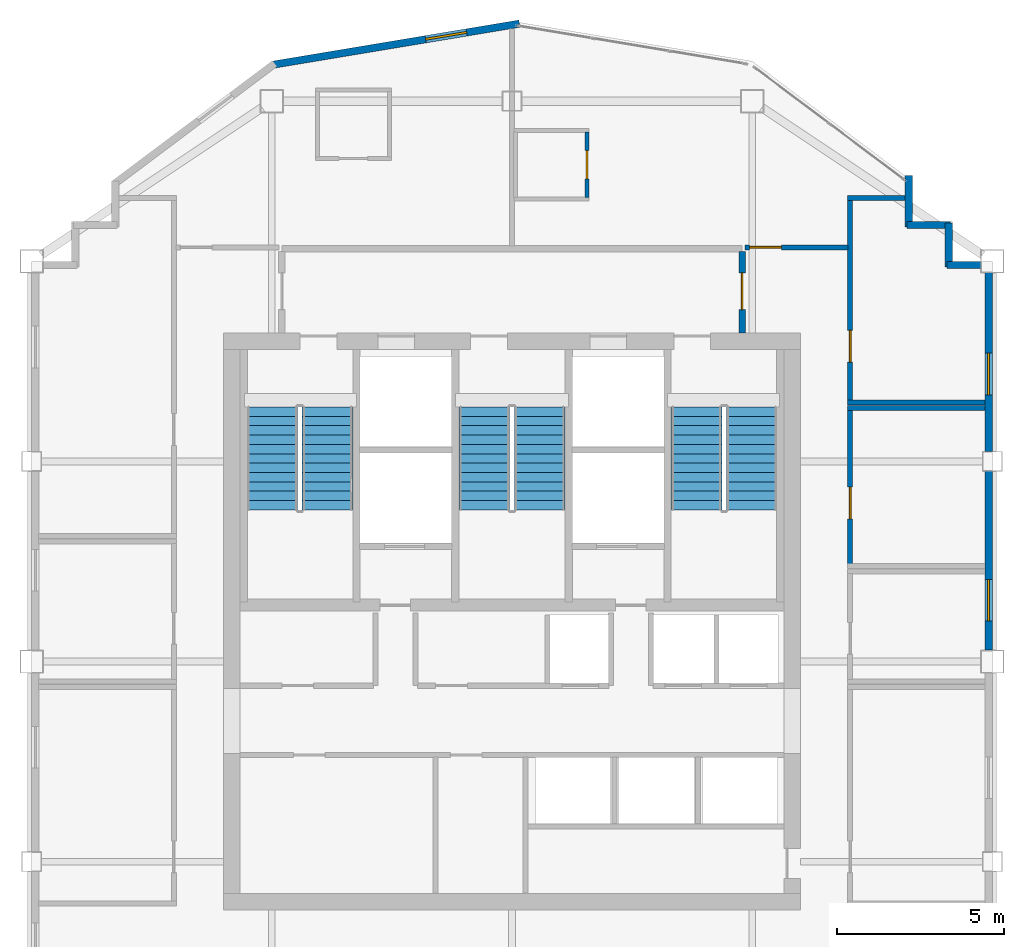
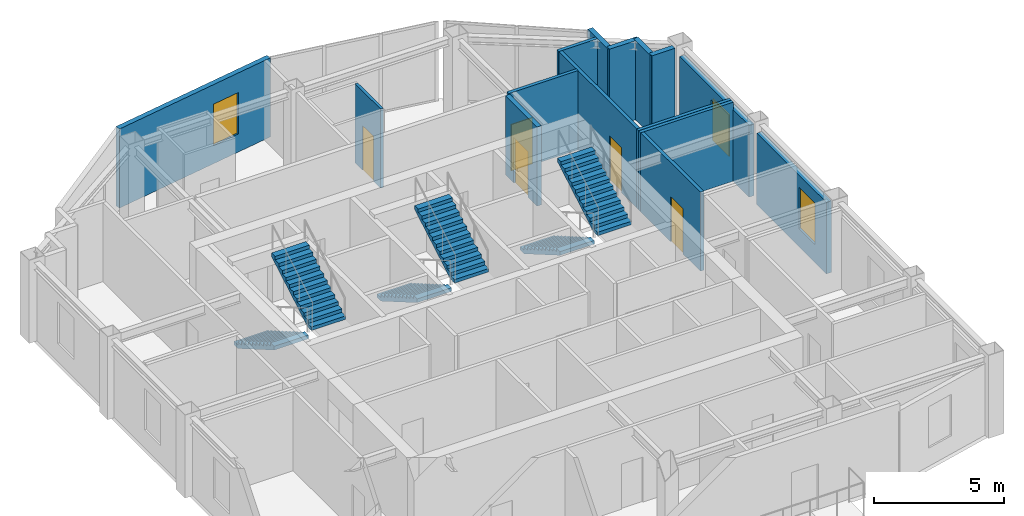
# One storey, part 7 of 8: 15 walls, 6 stair flights, 5 doors, 3 windows, 8 openings, 3 elements without a shape of their own.
"""IFC4 building model written with IfcOpenShell, lengths in metres."""

from ifc_helpers import new_model, si_unit, direction, frame, frame_2d, origin, place, context, subcontext, project, spatial, polyline, rectangle, outline, extrude, material, layer, layer_set, type_object, element, fill, aggregate, save


model = new_model("IFC4")

# Units and contexts
model_context = context("Model", 3, precision=1e-05, world=origin(), true_north=direction((0.0, 1.0)))
body_context = subcontext(model_context, "Body", "Model", "MODEL_VIEW")
ifc_project = project(units=[si_unit("LENGTHUNIT", "METRE"), si_unit("AREAUNIT", "SQUARE_METRE"), si_unit("VOLUMEUNIT", "CUBIC_METRE"), si_unit("PLANEANGLEUNIT", "RADIAN"), si_unit("MASSUNIT", "GRAM", prefix="KILO")], contexts=[model_context])

# Site, building, storey
site_placement = place(None, origin())
site = spatial("IfcSite", under=ifc_project, at=site_placement, CompositionType="ELEMENT")
building_placement = place(site_placement, origin())
building = spatial("IfcBuilding", under=site, at=building_placement, Name="Haolan Belvedere Tower", CompositionType="ELEMENT")
storey_placement = place(building_placement, frame((0.0, 0.0, 297.800048828125)))
storey = spatial("IfcBuildingStorey", under=building, at=storey_placement, Name="L75", CompositionType="ELEMENT", Elevation=297.800048828125)

# Wall, opening, window
ifc_material_1 = material(Name="Precast concrete C40/50", Category="concrete")
ifc_layer_1 = layer(ifc_material_1, 0.219970703125, Name="Precast concrete C40/50")
ifc_layer_set_1 = layer_set([ifc_layer_1], Name="Precast concrete C40/50")
wall_type_1 = type_object("IfcWallType", Name="WL-EXT-220", PredefinedType="SOLIDWALL", material=ifc_layer_set_1)
wall_1_placement = place(storey_placement, frame((52.68994140625, 33.94189453125, 0.0), z_axis=(0.0, 0.0, 1.0), x_axis=(0.0, 1.0, 0.0)))
wall_1 = element("IfcWall", 1, at=wall_1_placement, inside=storey, type_object=wall_type_1, Name="L75 pale-metal exterior spandrel wall 3.3", PredefinedType="SOLIDWALL", context=body_context, shape_type="SweptSolid", body=[
    extrude(rectangle(XDim=5.3662109375, YDim=0.219970703125, at=frame_2d((2.68310546875, 0.0))), origin(), (0.0, 0.0, 1.0), 3.364990234375),
])
opening_1_placement = place(wall_1_placement, frame((0.873046875, 0.0, 0.85009765625)))
opening_1 = element("IfcOpeningElement", 2, at=opening_1_placement, cuts=wall_1, Name="Opening W-04", PredefinedType="OPENING", context=body_context, shape_type="SweptSolid", body=[
    extrude(rectangle(XDim=1.25, YDim=1.949951171875, at=frame_2d((0.625, 0.97509765625))), frame((0.0, 0.119873046875, 0.0), z_axis=(0.0, -1.0, 0.0), x_axis=(1.0, 0.0, 0.0)), (0.0, 0.0, 1.0), 0.239990234375),
])
ifc_material_2 = material(Name="Anodised aluminium 6063-T6 and Low-E glass", Category="aluminium")
window_type = type_object("IfcWindowType", Name="WN-DECO-Z4", PartitioningType="SINGLE_PANEL", PredefinedType="WINDOW", material=ifc_material_2)
window_1_placement = place(opening_1_placement, origin())
window_1 = element("IfcWindow", 3, at=window_1_placement, inside=storey, type_object=window_type, Name="L75 Art Deco chevron window 1", OverallHeight=1.949951171875, OverallWidth=1.25, PartitioningType="SINGLE_PANEL", PredefinedType="WINDOW", context=body_context, shape_type="SweptSolid", body=[
    extrude(rectangle(XDim=1.25, YDim=1.949951171875, at=frame_2d((0.625, 0.97509765625))), frame((0.0, 0.030029296875, 0.0), z_axis=(0.0, -1.0, 0.0), x_axis=(1.0, 0.0, 0.0)), (0.0, 0.0, 1.0), 0.06005859375),
])
fill(opening_1, window_1)

wall_2_placement = place(storey_placement, frame((52.68994140625, 39.89208984375, 0.0), z_axis=(0.0, 0.0, 1.0), x_axis=(0.0, 1.0, 0.0)))
wall_2 = element("IfcWall", 4, at=wall_2_placement, inside=storey, type_object=wall_type_1, Name="L75 pale-metal exterior spandrel wall 3.4", PredefinedType="SOLIDWALL", context=body_context, shape_type="SweptSolid", body=[
    extrude(rectangle(XDim=5.365966796875, YDim=0.219970703125, at=frame_2d((2.68310546875, 0.0))), origin(), (0.0, 0.0, 1.0), 3.364990234375),
])
opening_2_placement = place(wall_2_placement, frame((1.702880859375, 0.0, 0.85009765625)))
opening_2 = element("IfcOpeningElement", 5, at=opening_2_placement, cuts=wall_2, Name="Opening W-04", PredefinedType="OPENING", context=body_context, shape_type="SweptSolid", body=[
    extrude(rectangle(XDim=1.25, YDim=1.949951171875, at=frame_2d((0.625, 0.97509765625))), frame((0.0, 0.119873046875, 0.0), z_axis=(0.0, -1.0, 0.0), x_axis=(1.0, 0.0, 0.0)), (0.0, 0.0, 1.0), 0.239990234375),
])
window_2_placement = place(opening_2_placement, origin())
window_2 = element("IfcWindow", 6, at=window_2_placement, inside=storey, type_object=window_type, Name="L75 Art Deco chevron window 1", OverallHeight=1.949951171875, OverallWidth=1.25, PartitioningType="SINGLE_PANEL", PredefinedType="WINDOW", context=body_context, shape_type="SweptSolid", body=[
    extrude(rectangle(XDim=1.25, YDim=1.949951171875, at=frame_2d((0.625, 0.97509765625))), frame((0.0, 0.030029296875, 0.0), z_axis=(0.0, -1.0, 0.0), x_axis=(1.0, 0.0, 0.0)), (0.0, 0.0, 1.0), 0.06005859375),
])
fill(opening_2, window_2)

# Walls
wall_3_placement = place(storey_placement, frame((52.4580078125, 45.489990234375, 0.0), z_axis=(0.0, 0.0, 1.0), x_axis=(-1.0, 0.0, 0.0)))
element("IfcWall", 7, at=wall_3_placement, inside=storey, type_object=wall_type_1, Name="L75 pale-metal exterior spandrel wall 4.1", PredefinedType="SOLIDWALL", context=body_context, shape_type="SweptSolid", body=[
    extrude(rectangle(XDim=1.02294921875, YDim=0.219970703125, at=frame_2d((0.511474609375, 0.0))), origin(), (0.0, 0.0, 1.0), 3.719970703125),
])
wall_4_placement = place(storey_placement, frame((51.489990234375, 45.43505859375, 0.0), z_axis=(0.0, 0.0, 1.0), x_axis=(0.0, 1.0, 0.0)))
element("IfcWall", 8, at=wall_4_placement, inside=storey, type_object=wall_type_1, Name="L75 pale-metal exterior spandrel wall 5.1", PredefinedType="SOLIDWALL", context=body_context, shape_type="SweptSolid", body=[
    extrude(rectangle(XDim=1.31005859375, YDim=0.219970703125, at=frame_2d((0.655029296875, 0.0))), origin(), (0.0, 0.0, 1.0), 3.719970703125),
])
wall_5_placement = place(storey_placement, frame((51.544921875, 46.68994140625, 0.0), z_axis=(0.0, 0.0, 1.0), x_axis=(-1.0, 0.0, 0.0)))
element("IfcWall", 9, at=wall_5_placement, inside=storey, type_object=wall_type_1, Name="L75 pale-metal exterior spandrel wall 6.1", PredefinedType="SOLIDWALL", context=body_context, shape_type="SweptSolid", body=[
    extrude(rectangle(XDim=1.309814453125, YDim=0.219970703125, at=frame_2d((0.65478515625, 0.0))), origin(), (0.0, 0.0, 1.0), 3.719970703125),
])
wall_6_placement = place(storey_placement, frame((50.2900390625, 46.635009765625, 0.0), z_axis=(0.0, 0.0, 1.0), x_axis=(0.0, 1.0, 0.0)))
element("IfcWall", 10, at=wall_6_placement, inside=storey, type_object=wall_type_1, Name="L75 pale-metal exterior spandrel wall 7.1", PredefinedType="SOLIDWALL", context=body_context, shape_type="SweptSolid", body=[
    extrude(rectangle(XDim=1.534912109375, YDim=0.219970703125, at=frame_2d((0.767578125, 0.0))), origin(), (0.0, 0.0, 1.0), 3.719970703125),
])

# Wall, opening, window
wall_7_placement = place(storey_placement, frame((38.621826171875, 52.7255859375, 0.0), z_axis=(0.0, 0.0, 1.0), x_axis=(-0.986390420428, -0.164420006349, 0.0)))
wall_7 = element("IfcWall", 11, at=wall_7_placement, inside=storey, type_object=wall_type_1, Name="L75 pale-metal exterior spandrel wall 10.1", PredefinedType="SOLIDWALL", context=body_context, shape_type="SweptSolid", body=[
    extrude(rectangle(XDim=7.5341796875, YDim=0.219970703125, at=frame_2d((3.76708984375, 0.0))), origin(), (0.0, 0.0, 1.0), 3.719970703125),
])
opening_3_placement = place(wall_7_placement, frame((1.60009765625, 0.0, 0.85009765625)))
opening_3 = element("IfcOpeningElement", 12, at=opening_3_placement, cuts=wall_7, Name="Opening W-04", PredefinedType="OPENING", context=body_context, shape_type="SweptSolid", body=[
    extrude(rectangle(XDim=1.25, YDim=1.949951171875, at=frame_2d((0.625, 0.97509765625))), frame((0.0, 0.119873046875, 0.0), z_axis=(0.0, -1.0, 0.0), x_axis=(1.0, 0.0, 0.0)), (0.0, 0.0, 1.0), 0.239990234375),
])
window_3_placement = place(opening_3_placement, origin())
window_3 = element("IfcWindow", 13, at=window_3_placement, inside=storey, type_object=window_type, Name="L75 Art Deco chevron window 1", OverallHeight=1.949951171875, OverallWidth=1.25, PartitioningType="SINGLE_PANEL", PredefinedType="WINDOW", context=body_context, shape_type="SweptSolid", body=[
    extrude(rectangle(XDim=1.25, YDim=1.949951171875, at=frame_2d((0.625, 0.97509765625))), frame((0.0, 0.030029296875, 0.0), z_axis=(0.0, -1.0, 0.0), x_axis=(1.0, 0.0, 0.0)), (0.0, 0.0, 1.0), 0.06005859375),
])
fill(opening_3, window_3)

# Wall, opening, door
ifc_material_3 = material(Name="Concrete C40/50", Category="concrete")
ifc_layer_2 = layer(ifc_material_3, 0.199951171875, Name="Concrete C40/50")
ifc_layer_set_2 = layer_set([ifc_layer_2], Name="Concrete C40/50")
wall_type_2 = type_object("IfcWallType", Name="WL-FIRE-200", PredefinedType="SOLIDWALL", material=ifc_layer_set_2)
wall_8_placement = place(storey_placement, frame((45.300048828125, 43.449951171875, 0.0), z_axis=(0.0, 0.0, 1.0), x_axis=(0.0, 1.0, 0.0)))
wall_8 = element("IfcWall", 14, at=wall_8_placement, inside=storey, type_object=wall_type_2, Name="L75 interior partition IW-L75-FFL-E", PredefinedType="SOLIDWALL", context=body_context, shape_type="SweptSolid", body=[
    extrude(rectangle(XDim=2.445068359375, YDim=0.199951171875, at=frame_2d((1.22265625, 0.0))), origin(), (0.0, 0.0, 1.0), 3.719970703125),
])
opening_4_placement = place(wall_8_placement, frame((0.699951171875, 0.0, 0.0)))
opening_4 = element("IfcOpeningElement", 15, at=opening_4_placement, cuts=wall_8, Name="Opening FD-03", PredefinedType="OPENING", context=body_context, shape_type="SweptSolid", body=[
    extrude(rectangle(XDim=1.10009765625, YDim=2.14990234375, at=frame_2d((0.550048828125, 1.074951171875))), frame((0.0, 0.10986328125, 0.0), z_axis=(0.0, -1.0, 0.0), x_axis=(1.0, 0.0, 0.0)), (0.0, 0.0, 1.0), 0.219970703125),
])
ifc_material_4 = material(Name="Galvanised fire-rated steel", Category="steel")
door_type_1 = type_object("IfcDoorType", Name="DR-FD90-1100", OperationType="NOTDEFINED", PredefinedType="DOOR", material=ifc_material_4)
door_1_placement = place(opening_4_placement, origin())
door_1 = element("IfcDoor", 16, at=door_1_placement, inside=storey, type_object=door_type_1, Name="L75 door ID-L75-FFL-DE", OperationType="SINGLE_SWING_RIGHT", OverallHeight=2.14990234375, OverallWidth=1.10009765625, PredefinedType="DOOR", context=body_context, shape_type="SweptSolid", body=[
    extrude(rectangle(XDim=1.10009765625, YDim=2.14990234375, at=frame_2d((0.550048828125, 1.074951171875))), frame((0.0, 0.02490234375, 0.0), z_axis=(0.0, -1.0, 0.0), x_axis=(1.0, 0.0, 0.0)), (0.0, 0.0, 1.0), 0.050048828125),
])
fill(opening_4, door_1)

# Wall
ifc_material_5 = material(Name="Double gypsum acoustic stud partition", Category="masonry")
ifc_layer_3 = layer(ifc_material_5, 0.14990234375, Name="Double gypsum acoustic stud partition")
ifc_layer_set_3 = layer_set([ifc_layer_3], Name="Double gypsum acoustic stud partition")
wall_type_3 = type_object("IfcWallType", Name="WL-PART-150", PredefinedType="PARTITIONING", material=ifc_layer_set_3)
wall_9_placement = place(storey_placement, frame((48.4599609375, 41.199951171875, 0.0), z_axis=(0.0, 0.0, 1.0), x_axis=(1.0, 0.0, 0.0)))
element("IfcWall", 17, at=wall_9_placement, inside=storey, type_object=wall_type_3, Name="L75 interior partition IW-L75-STY-N", PredefinedType="PARTITIONING", context=body_context, shape_type="SweptSolid", body=[
    extrude(rectangle(XDim=4.1279296875, YDim=0.14990234375, at=frame_2d((2.06396484375, 0.0))), origin(), (0.0, 0.0, 1.0), 3.719970703125),
])

# Wall, opening, door
wall_10_placement = place(storey_placement, frame((48.5400390625, 36.52001953125, 0.0), z_axis=(0.0, 0.0, 1.0), x_axis=(0.0, 1.0, 0.0)))
wall_10 = element("IfcWall", 18, at=wall_10_placement, inside=storey, type_object=wall_type_3, Name="L75 interior partition IW-L75-STY-W", PredefinedType="PARTITIONING", context=body_context, shape_type="SweptSolid", body=[
    extrude(rectangle(XDim=4.619873046875, YDim=0.14990234375, at=frame_2d((2.31005859375, 0.0))), origin(), (0.0, 0.0, 1.0), 3.719970703125),
])
opening_5_placement = place(wall_10_placement, frame((1.360107421875, 0.0, 0.0)))
opening_5 = element("IfcOpeningElement", 19, at=opening_5_placement, cuts=wall_10, Name="Opening ID-03", PredefinedType="OPENING", context=body_context, shape_type="SweptSolid", body=[
    extrude(rectangle(XDim=0.949951171875, YDim=2.1201171875, at=frame_2d((0.47509765625, 1.06005859375))), frame((0.0, 0.0849609375, 0.0), z_axis=(0.0, -1.0, 0.0), x_axis=(1.0, 0.0, 0.0)), (0.0, 0.0, 1.0), 0.169921875),
])
ifc_material_6 = material(Name="Painted solid-core timber", Category="wood")
door_type_2 = type_object("IfcDoorType", Name="DR-INT-950", OperationType="NOTDEFINED", PredefinedType="DOOR", material=ifc_material_6)
door_2_placement = place(opening_5_placement, origin())
door_2 = element("IfcDoor", 20, at=door_2_placement, inside=storey, type_object=door_type_2, Name="L75 door ID-L75-STY", OperationType="SINGLE_SWING_RIGHT", OverallHeight=2.1201171875, OverallWidth=0.949951171875, PredefinedType="DOOR", context=body_context, shape_type="SweptSolid", body=[
    extrude(rectangle(XDim=0.949951171875, YDim=2.1201171875, at=frame_2d((0.47509765625, 1.06005859375))), frame((0.0, 0.02490234375, 0.0), z_axis=(0.0, -1.0, 0.0), x_axis=(1.0, 0.0, 0.0)), (0.0, 0.0, 1.0), 0.050048828125),
])
fill(opening_5, door_2)

# Walls
wall_11_placement = place(storey_placement, frame((48.4599609375, 47.5, 0.0), z_axis=(0.0, 0.0, 1.0), x_axis=(1.0, 0.0, 0.0)))
element("IfcWall", 21, at=wall_11_placement, inside=storey, type_object=wall_type_3, Name="L75 interior partition IW-L75-PNT-N", PredefinedType="PARTITIONING", context=body_context, shape_type="SweptSolid", body=[
    extrude(rectangle(XDim=1.72802734375, YDim=0.14990234375, at=frame_2d((0.864013671875, 0.0))), origin(), (0.0, 0.0, 1.0), 3.719970703125),
])
wall_12_placement = place(storey_placement, frame((48.4599609375, 41.360107421875, 0.0), z_axis=(0.0, 0.0, 1.0), x_axis=(1.0, 0.0, 0.0)))
element("IfcWall", 22, at=wall_12_placement, inside=storey, type_object=wall_type_3, Name="L75 interior partition IW-L75-PNT-S", PredefinedType="PARTITIONING", context=body_context, shape_type="SweptSolid", body=[
    extrude(rectangle(XDim=4.1279296875, YDim=0.14990234375, at=frame_2d((2.06396484375, 0.0))), origin(), (0.0, 0.0, 1.0), 3.719970703125),
])

# Wall, opening, door
wall_13_placement = place(storey_placement, frame((48.5400390625, 41.419921875, 0.0), z_axis=(0.0, 0.0, 1.0), x_axis=(0.0, 1.0, 0.0)))
wall_13 = element("IfcWall", 23, at=wall_13_placement, inside=storey, type_object=wall_type_3, Name="L75 interior partition IW-L75-PNT-W", PredefinedType="PARTITIONING", context=body_context, shape_type="SweptSolid", body=[
    extrude(rectangle(XDim=6.02001953125, YDim=0.14990234375, at=frame_2d((3.010009765625, 0.0))), origin(), (0.0, 0.0, 1.0), 3.719970703125),
])
opening_6_placement = place(wall_13_placement, frame((1.159912109375, 0.0, 0.0)))
opening_6 = element("IfcOpeningElement", 24, at=opening_6_placement, cuts=wall_13, Name="Opening ID-03", PredefinedType="OPENING", context=body_context, shape_type="SweptSolid", body=[
    extrude(rectangle(XDim=0.949951171875, YDim=2.1201171875, at=frame_2d((0.47509765625, 1.06005859375))), frame((0.0, 0.0849609375, 0.0), z_axis=(0.0, -1.0, 0.0), x_axis=(1.0, 0.0, 0.0)), (0.0, 0.0, 1.0), 0.169921875),
])
door_3_placement = place(opening_6_placement, origin())
door_3 = element("IfcDoor", 25, at=door_3_placement, inside=storey, type_object=door_type_2, Name="L75 door ID-L75-PNT", OperationType="SINGLE_SWING_LEFT", OverallHeight=2.1201171875, OverallWidth=0.949951171875, PredefinedType="DOOR", context=body_context, shape_type="SweptSolid", body=[
    extrude(rectangle(XDim=0.949951171875, YDim=2.1201171875, at=frame_2d((0.47509765625, 1.06005859375))), frame((0.0, 0.02490234375, 0.0), z_axis=(0.0, -1.0, 0.0), x_axis=(1.0, 0.0, 0.0)), (0.0, 0.0, 1.0), 0.050048828125),
])
fill(opening_6, door_3)

wall_14_placement = place(storey_placement, frame((45.385009765625, 46.02001953125, 0.0), z_axis=(0.0, 0.0, 1.0), x_axis=(1.0, 0.0, 0.0)))
wall_14 = element("IfcWall", 26, at=wall_14_placement, inside=storey, type_object=wall_type_3, Name="L75 interior partition IW-L75-KN2-S", PredefinedType="PARTITIONING", context=body_context, shape_type="SweptSolid", body=[
    extrude(rectangle(XDim=3.094970703125, YDim=0.14990234375, at=frame_2d((1.54736328125, 0.0))), origin(), (0.0, 0.0, 1.0), 3.719970703125),
])
opening_7_placement = place(wall_14_placement, frame((0.139892578125, 0.0, 0.0)))
opening_7 = element("IfcOpeningElement", 27, at=opening_7_placement, cuts=wall_14, Name="Opening ID-01", PredefinedType="OPENING", context=body_context, shape_type="SweptSolid", body=[
    extrude(rectangle(XDim=0.949951171875, YDim=2.179931640625, at=frame_2d((0.47509765625, 1.08984375))), frame((0.0, 0.0849609375, 0.0), z_axis=(0.0, -1.0, 0.0), x_axis=(1.0, 0.0, 0.0)), (0.0, 0.0, 1.0), 0.169921875),
])
ifc_material_7 = material(Name="Acoustic walnut veneer fire-rated timber", Category="wood")
door_type_3 = type_object("IfcDoorType", Name="DR-SUITE-950", OperationType="NOTDEFINED", PredefinedType="DOOR", material=ifc_material_7)
door_4_placement = place(opening_7_placement, origin())
door_4 = element("IfcDoor", 28, at=door_4_placement, inside=storey, type_object=door_type_3, Name="L75 door ID-L75-KN2-ENT", OperationType="SINGLE_SWING_LEFT", OverallHeight=2.179931640625, OverallWidth=0.949951171875, PredefinedType="DOOR", context=body_context, shape_type="SweptSolid", body=[
    extrude(rectangle(XDim=0.949951171875, YDim=2.179931640625, at=frame_2d((0.47509765625, 1.08984375))), frame((0.0, 0.02490234375, 0.0), z_axis=(0.0, -1.0, 0.0), x_axis=(1.0, 0.0, 0.0)), (0.0, 0.0, 1.0), 0.050048828125),
])
fill(opening_7, door_4)

ifc_material_8 = material(Name="Moisture-resistant gypsum tile partition", Category="masonry")
ifc_layer_4 = layer(ifc_material_8, 0.1201171875, Name="Moisture-resistant gypsum tile partition")
ifc_layer_set_4 = layer_set([ifc_layer_4], Name="Moisture-resistant gypsum tile partition")
wall_type_4 = type_object("IfcWallType", Name="WL-WET-120", PredefinedType="PARTITIONING", material=ifc_layer_set_4)
wall_15_placement = place(storey_placement, frame((40.64990234375, 47.514892578125, 0.0), z_axis=(0.0, 0.0, 1.0), x_axis=(0.0, 1.0, 0.0)))
wall_15 = element("IfcWall", 29, at=wall_15_placement, inside=storey, type_object=wall_type_4, Name="L75 interior partition IW-L75-KN2-BE", PredefinedType="PARTITIONING", context=body_context, shape_type="SweptSolid", body=[
    extrude(rectangle(XDim=1.960205078125, YDim=0.1201171875, at=frame_2d((0.97998046875, 0.0))), origin(), (0.0, 0.0, 1.0), 3.719970703125),
])
opening_8_placement = place(wall_15_placement, frame((0.554931640625, 0.0, 0.0)))
opening_8 = element("IfcOpeningElement", 30, at=opening_8_placement, cuts=wall_15, Name="Opening ID-05", PredefinedType="OPENING", context=body_context, shape_type="SweptSolid", body=[
    extrude(rectangle(XDim=0.85009765625, YDim=2.10009765625, at=frame_2d((0.425048828125, 1.050048828125))), frame((0.0, 0.070068359375, 0.0), z_axis=(0.0, -1.0, 0.0), x_axis=(1.0, 0.0, 0.0)), (0.0, 0.0, 1.0), 0.14013671875),
])
ifc_material_9 = material(Name="Moisture-resistant lacquered timber", Category="wood")
door_type_4 = type_object("IfcDoorType", Name="DR-BATH-850", OperationType="NOTDEFINED", PredefinedType="DOOR", material=ifc_material_9)
door_5_placement = place(opening_8_placement, origin())
door_5 = element("IfcDoor", 31, at=door_5_placement, inside=storey, type_object=door_type_4, Name="L75 door ID-L75-KN2-BATH", OperationType="SINGLE_SWING_RIGHT", OverallHeight=2.10009765625, OverallWidth=0.85009765625, PredefinedType="DOOR", context=body_context, shape_type="SweptSolid", body=[
    extrude(rectangle(XDim=0.85009765625, YDim=2.10009765625, at=frame_2d((0.425048828125, 1.050048828125))), frame((0.0, 0.02490234375, 0.0), z_axis=(0.0, -1.0, 0.0), x_axis=(1.0, 0.0, 0.0)), (0.0, 0.0, 1.0), 0.050048828125),
])
fill(opening_8, door_5)

# Stair, stair flights
stair_type = type_object("IfcStairType", Name="STR-DL-24R-162", PredefinedType="HALF_TURN_STAIR", material=ifc_material_3)
stair_1_placement = place(storey_placement, origin())
stair_1 = element("IfcStair", 32, at=stair_1_placement, inside=storey, type_object=stair_type, Name="L75 Smokeproof Core Exit Stair ST1", PredefinedType="HALF_TURN_STAIR")
stair_flight_type = type_object("IfcStairFlightType", Name="SFL-DL-12R-162", PredefinedType="STRAIGHT", material=ifc_material_3)
stair_flight_1_placement = place(storey_placement, frame((31.2099609375, 41.22998046875, 0.0), z_axis=(0.0, 0.0, 1.0), x_axis=(0.0, -1.0, 0.0)))
stair_flight_1 = element("IfcStairFlight", 33, at=stair_flight_1_placement, type_object=stair_flight_type, Name="ST1 flight 1", NumberOfRisers=12, NumberOfTreads=11, PredefinedType="STRAIGHT", RiserHeight=0.1625, TreadLength=0.28, context=body_context, shape_type="SweptSolid", body=[
    extrude(outline(polyline([(0.0, 0.0), (0.0, 0.16259765625), (0.280029296875, 0.16259765625), (0.280029296875, 0.324951171875), (0.56005859375, 0.324951171875), (0.56005859375, 0.487548828125), (0.840087890625, 0.487548828125), (0.840087890625, 0.64990234375), (1.1201171875, 0.64990234375), (1.1201171875, 0.8125), (1.39990234375, 0.8125), (1.39990234375, 0.97509765625), (1.679931640625, 0.97509765625), (1.679931640625, 1.137451171875), (1.9599609375, 1.137451171875), (1.9599609375, 1.300048828125), (2.239990234375, 1.300048828125), (2.239990234375, 1.46240234375), (2.52001953125, 1.46240234375), (2.52001953125, 1.625), (2.800048828125, 1.625), (2.800048828125, 1.78759765625), (3.080078125, 1.78759765625), (3.080078125, 1.949951171875), (3.080078125, 1.6142578125), (0.298583984375, 0.0), (0.0, 0.0)])), frame((0.0, 0.760009765625, 0.0), z_axis=(0.0, -1.0, 0.0), x_axis=(1.0, 0.0, 0.0)), (0.0, 0.0, 1.0), 1.52001953125),
])
stair_flight_2_placement = place(storey_placement, frame((32.8701171875, 38.14990234375, 1.949951171875), z_axis=(0.0, 0.0, 1.0), x_axis=(0.0, 1.0, 0.0)))
stair_flight_2 = element("IfcStairFlight", 34, at=stair_flight_2_placement, type_object=stair_flight_type, Name="ST1 flight 2", NumberOfRisers=12, NumberOfTreads=11, PredefinedType="STRAIGHT", RiserHeight=0.1625, TreadLength=0.28, context=body_context, shape_type="SweptSolid", body=[
    extrude(outline(polyline([(0.0, 0.0), (0.0, 0.16259765625), (0.280029296875, 0.16259765625), (0.280029296875, 0.324951171875), (0.56005859375, 0.324951171875), (0.56005859375, 0.487548828125), (0.840087890625, 0.487548828125), (0.840087890625, 0.64990234375), (1.1201171875, 0.64990234375), (1.1201171875, 0.8125), (1.39990234375, 0.8125), (1.39990234375, 0.97509765625), (1.679931640625, 0.97509765625), (1.679931640625, 1.137451171875), (1.9599609375, 1.137451171875), (1.9599609375, 1.300048828125), (2.239990234375, 1.300048828125), (2.239990234375, 1.46240234375), (2.52001953125, 1.46240234375), (2.52001953125, 1.625), (2.800048828125, 1.625), (2.800048828125, 1.78759765625), (3.080078125, 1.78759765625), (3.080078125, 1.949951171875), (3.080078125, 1.6142578125), (0.298583984375, 0.0), (0.0, 0.0)])), frame((0.0, 0.760009765625, 0.0), z_axis=(0.0, -1.0, 0.0), x_axis=(1.0, 0.0, 0.0)), (0.0, 0.0, 1.0), 1.52001953125),
])
aggregate(stair_1, [stair_flight_1, stair_flight_2])

stair_2_placement = place(storey_placement, origin())
stair_2 = element("IfcStair", 35, at=stair_2_placement, inside=storey, type_object=stair_type, Name="L75 Smokeproof Core Exit Stair ST3", PredefinedType="HALF_TURN_STAIR")
stair_flight_3_placement = place(storey_placement, frame((37.570068359375, 41.22998046875, 0.0), z_axis=(0.0, 0.0, 1.0), x_axis=(0.0, -1.0, 0.0)))
stair_flight_3 = element("IfcStairFlight", 36, at=stair_flight_3_placement, type_object=stair_flight_type, Name="ST3 flight 1", NumberOfRisers=12, NumberOfTreads=11, PredefinedType="STRAIGHT", RiserHeight=0.1625, TreadLength=0.28, context=body_context, shape_type="SweptSolid", body=[
    extrude(outline(polyline([(0.0, 0.0), (0.0, 0.16259765625), (0.280029296875, 0.16259765625), (0.280029296875, 0.324951171875), (0.56005859375, 0.324951171875), (0.56005859375, 0.487548828125), (0.840087890625, 0.487548828125), (0.840087890625, 0.64990234375), (1.1201171875, 0.64990234375), (1.1201171875, 0.8125), (1.39990234375, 0.8125), (1.39990234375, 0.97509765625), (1.679931640625, 0.97509765625), (1.679931640625, 1.137451171875), (1.9599609375, 1.137451171875), (1.9599609375, 1.300048828125), (2.239990234375, 1.300048828125), (2.239990234375, 1.46240234375), (2.52001953125, 1.46240234375), (2.52001953125, 1.625), (2.800048828125, 1.625), (2.800048828125, 1.78759765625), (3.080078125, 1.78759765625), (3.080078125, 1.949951171875), (3.080078125, 1.6142578125), (0.298583984375, 0.0), (0.0, 0.0)])), frame((0.0, 0.760009765625, 0.0), z_axis=(0.0, -1.0, 0.0), x_axis=(1.0, 0.0, 0.0)), (0.0, 0.0, 1.0), 1.52001953125),
])
stair_flight_4_placement = place(storey_placement, frame((39.22998046875, 38.14990234375, 1.949951171875), z_axis=(0.0, 0.0, 1.0), x_axis=(0.0, 1.0, 0.0)))
stair_flight_4 = element("IfcStairFlight", 37, at=stair_flight_4_placement, type_object=stair_flight_type, Name="ST3 flight 2", NumberOfRisers=12, NumberOfTreads=11, PredefinedType="STRAIGHT", RiserHeight=0.1625, TreadLength=0.28, context=body_context, shape_type="SweptSolid", body=[
    extrude(outline(polyline([(0.0, 0.0), (0.0, 0.16259765625), (0.280029296875, 0.16259765625), (0.280029296875, 0.324951171875), (0.56005859375, 0.324951171875), (0.56005859375, 0.487548828125), (0.840087890625, 0.487548828125), (0.840087890625, 0.64990234375), (1.1201171875, 0.64990234375), (1.1201171875, 0.8125), (1.39990234375, 0.8125), (1.39990234375, 0.97509765625), (1.679931640625, 0.97509765625), (1.679931640625, 1.137451171875), (1.9599609375, 1.137451171875), (1.9599609375, 1.300048828125), (2.239990234375, 1.300048828125), (2.239990234375, 1.46240234375), (2.52001953125, 1.46240234375), (2.52001953125, 1.625), (2.800048828125, 1.625), (2.800048828125, 1.78759765625), (3.080078125, 1.78759765625), (3.080078125, 1.949951171875), (3.080078125, 1.6142578125), (0.298583984375, 0.0), (0.0, 0.0)])), frame((0.0, 0.760009765625, 0.0), z_axis=(0.0, -1.0, 0.0), x_axis=(1.0, 0.0, 0.0)), (0.0, 0.0, 1.0), 1.52001953125),
])
aggregate(stair_2, [stair_flight_3, stair_flight_4])

stair_3_placement = place(storey_placement, origin())
stair_3 = element("IfcStair", 38, at=stair_3_placement, inside=storey, type_object=stair_type, Name="L75 Smokeproof Core Exit Stair ST2", PredefinedType="HALF_TURN_STAIR")
stair_flight_5_placement = place(storey_placement, frame((43.929931640625, 41.22998046875, 0.0), z_axis=(0.0, 0.0, 1.0), x_axis=(0.0, -1.0, 0.0)))
stair_flight_5 = element("IfcStairFlight", 39, at=stair_flight_5_placement, type_object=stair_flight_type, Name="ST2 flight 1", NumberOfRisers=12, NumberOfTreads=11, PredefinedType="STRAIGHT", RiserHeight=0.1625, TreadLength=0.28, context=body_context, shape_type="SweptSolid", body=[
    extrude(outline(polyline([(0.0, 0.0), (0.0, 0.16259765625), (0.280029296875, 0.16259765625), (0.280029296875, 0.324951171875), (0.56005859375, 0.324951171875), (0.56005859375, 0.487548828125), (0.840087890625, 0.487548828125), (0.840087890625, 0.64990234375), (1.1201171875, 0.64990234375), (1.1201171875, 0.8125), (1.39990234375, 0.8125), (1.39990234375, 0.97509765625), (1.679931640625, 0.97509765625), (1.679931640625, 1.137451171875), (1.9599609375, 1.137451171875), (1.9599609375, 1.300048828125), (2.239990234375, 1.300048828125), (2.239990234375, 1.46240234375), (2.52001953125, 1.46240234375), (2.52001953125, 1.625), (2.800048828125, 1.625), (2.800048828125, 1.78759765625), (3.080078125, 1.78759765625), (3.080078125, 1.949951171875), (3.080078125, 1.6142578125), (0.298583984375, 0.0), (0.0, 0.0)])), frame((0.0, 0.760009765625, 0.0), z_axis=(0.0, -1.0, 0.0), x_axis=(1.0, 0.0, 0.0)), (0.0, 0.0, 1.0), 1.52001953125),
])
stair_flight_6_placement = place(storey_placement, frame((45.590087890625, 38.14990234375, 1.949951171875), z_axis=(0.0, 0.0, 1.0), x_axis=(0.0, 1.0, 0.0)))
stair_flight_6 = element("IfcStairFlight", 40, at=stair_flight_6_placement, type_object=stair_flight_type, Name="ST2 flight 2", NumberOfRisers=12, NumberOfTreads=11, PredefinedType="STRAIGHT", RiserHeight=0.1625, TreadLength=0.28, context=body_context, shape_type="SweptSolid", body=[
    extrude(outline(polyline([(0.0, 0.0), (0.0, 0.16259765625), (0.280029296875, 0.16259765625), (0.280029296875, 0.324951171875), (0.56005859375, 0.324951171875), (0.56005859375, 0.487548828125), (0.840087890625, 0.487548828125), (0.840087890625, 0.64990234375), (1.1201171875, 0.64990234375), (1.1201171875, 0.8125), (1.39990234375, 0.8125), (1.39990234375, 0.97509765625), (1.679931640625, 0.97509765625), (1.679931640625, 1.137451171875), (1.9599609375, 1.137451171875), (1.9599609375, 1.300048828125), (2.239990234375, 1.300048828125), (2.239990234375, 1.46240234375), (2.52001953125, 1.46240234375), (2.52001953125, 1.625), (2.800048828125, 1.625), (2.800048828125, 1.78759765625), (3.080078125, 1.78759765625), (3.080078125, 1.949951171875), (3.080078125, 1.6142578125), (0.298583984375, 0.0), (0.0, 0.0)])), frame((0.0, 0.760009765625, 0.0), z_axis=(0.0, -1.0, 0.0), x_axis=(1.0, 0.0, 0.0)), (0.0, 0.0, 1.0), 1.52001953125),
])
aggregate(stair_3, [stair_flight_5, stair_flight_6])

save(model, "model.ifc")
